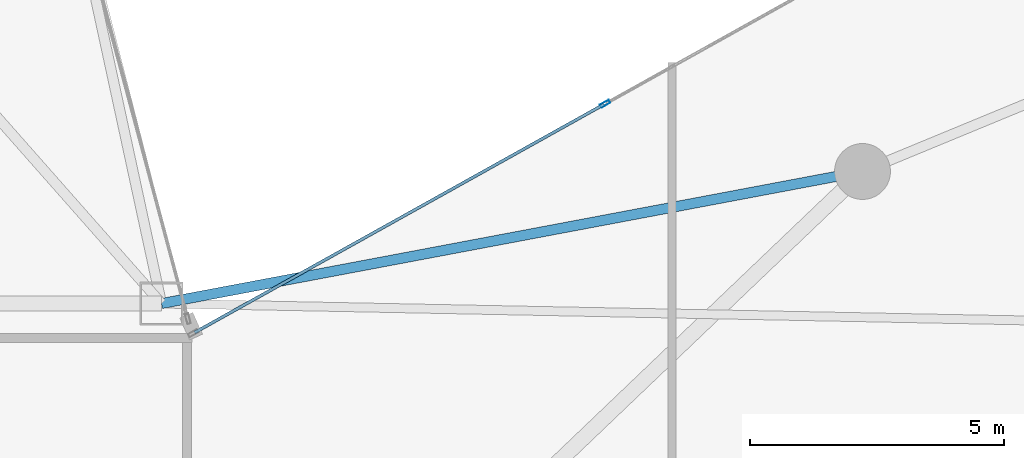
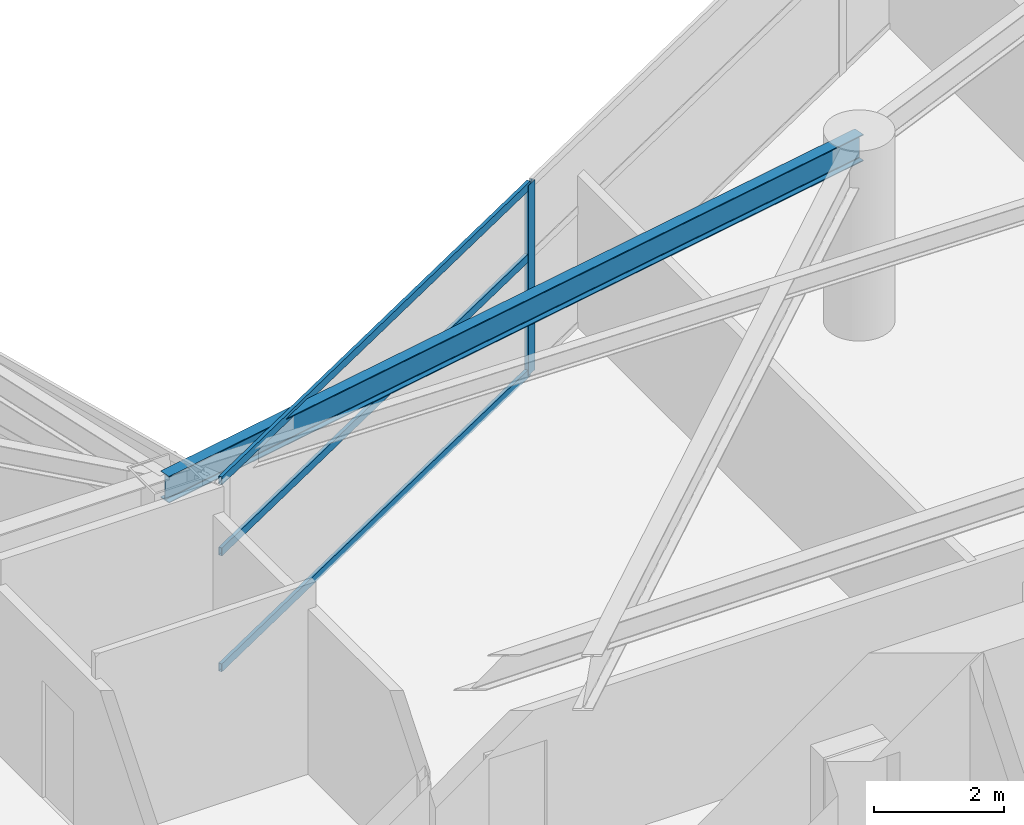
# One storey, part 11 of 28: 4 members, 1 beam, 1 element without a shape of its own.
"""IFC4 building model written with IfcOpenShell, lengths in metres."""

from ifc_helpers import new_model, si_unit, direction, frame, origin, origin_2d, place, context, subcontext, project, spatial, hollow_rectangle, i_section, extrude, material, layer, layer_set, material_profile, profile_set, type_object, element, aggregate, save


model = new_model("IFC4")

# Units and contexts
model_context = context("Model", 3, precision=1e-05, world=origin(), true_north=direction((0.0, 1.0)))
body_context = subcontext(model_context, "Body", "Model", "MODEL_VIEW")
ifc_project = project(units=[si_unit("LENGTHUNIT", "METRE"), si_unit("AREAUNIT", "SQUARE_METRE"), si_unit("VOLUMEUNIT", "CUBIC_METRE"), si_unit("PLANEANGLEUNIT", "RADIAN"), si_unit("MASSUNIT", "GRAM", prefix="KILO")], contexts=[model_context])

# Site, building, storey
site_placement = place(None, origin())
site = spatial("IfcSite", under=ifc_project, at=site_placement, CompositionType="ELEMENT")
building_placement = place(site_placement, origin())
building = spatial("IfcBuilding", under=site, at=building_placement, Name="Calvorn Quay Hotel", CompositionType="ELEMENT")
storey_placement = place(building_placement, frame((0.0, 0.0, 127.800048828125)))
storey = spatial("IfcBuildingStorey", under=building, at=storey_placement, Name="L31", CompositionType="ELEMENT", Elevation=127.800048828125)

# Beam
ifc_material_1 = material(Name="Steel Q355B", Category="steel")
ifc_material_profile_1 = material_profile(ifc_material_1, i_section(OverallWidth=0.199951171875, OverallDepth=0.5, WebThickness=0.010009765625, FlangeThickness=0.01611328125, FilletRadius=0.01611328125, at=origin_2d()), Name="HN500x200x10x16")
ifc_profile_set_1 = profile_set([ifc_material_profile_1], Name="Steel Q355B")
beam_type = type_object("IfcBeamType", Name="BM-SPANDREL-Z1", PredefinedType="SPANDREL", material=ifc_profile_set_1)
beam_placement = place(storey_placement, frame((34.800048828125, 27.60009765625, 3.2900390625), z_axis=(-0.982709432406, -0.185154452988, 0.0), x_axis=(0.185154452988, -0.982709432406, 0.0)))
element("IfcBeam", 1, at=beam_placement, inside=storey, type_object=beam_type, Name="Beam BSP-L31-E5", PredefinedType="SPANDREL", context=body_context, shape_type="SweptSolid", body=[
    extrude(i_section(OverallWidth=0.199951171875, OverallDepth=0.5, WebThickness=0.010009765625, FlangeThickness=0.01611328125, FilletRadius=0.01611328125, at=origin_2d()), origin(), (0.0, 0.0, 1.0), 14.04296875),
])

# Curtain wall, members
ifc_material_2 = material(Name="Pale Anodised Aluminium and Low-E Glass", Category="aluminium")
ifc_layer = layer(ifc_material_2, 0.219970703125)
ifc_layer_set = layer_set([ifc_layer], Name="CW-SYS-Z2")
curtain_wall_type = type_object("IfcCurtainWallType", Name="CW-SYS-Z2", PredefinedType="NOTDEFINED", material=ifc_layer_set)
curtain_wall_placement = place(storey_placement, origin())
curtain_wall = element("IfcCurtainWall", 2, at=curtain_wall_placement, inside=storey, type_object=curtain_wall_type, Name="Inner Court Curtain Wall L31-NE1", PredefinedType="NOTDEFINED")
ifc_material_3 = material(Name="Pale Anodised Aluminium 6063-T6", Category="aluminium")
ifc_material_profile_2 = material_profile(ifc_material_3, hollow_rectangle(XDim=0.070068359375, YDim=0.199951171875, WallThickness=0.00390625, at=origin_2d()), Name="ALU-M200x70x4")
ifc_profile_set_2 = profile_set([ifc_material_profile_2], Name="Pale Anodised Aluminium 6063-T6")
member_type_1 = type_object("IfcMemberType", Name="CW-SYS-Z2-MUL", PredefinedType="MULLION", material=ifc_profile_set_2)
member_1_placement = place(storey_placement, frame((29.7333984375, 28.933349609375, 0.0), z_axis=(0.0, 0.0, 1.0), x_axis=(0.486858256224, -0.873480989116, 0.0)))
member_1 = element("IfcMember", 3, at=member_1_placement, type_object=member_type_1, Name="CW-L31-NE1 mullion 3", PredefinedType="MULLION", context=body_context, shape_type="SweptSolid", body=[
    extrude(hollow_rectangle(XDim=0.070068359375, YDim=0.199951171875, WallThickness=0.00390625, at=origin_2d()), origin(), (0.0, 0.0, 1.0), 3.56005859375),
])
ifc_material_4 = material(Name="Pale Anodised Aluminium 6063-T6", Category="aluminium")
ifc_material_profile_3 = material_profile(ifc_material_4, hollow_rectangle(XDim=0.06005859375, YDim=0.14990234375, WallThickness=0.00341796875, at=origin_2d()), Name="ALU-T150x60x3.5")
ifc_profile_set_3 = profile_set([ifc_material_profile_3], Name="Pale Anodised Aluminium 6063-T6")
member_type_2 = type_object("IfcMemberType", Name="CW-SYS-Z2-TRN", PredefinedType="USERDEFINED", material=ifc_profile_set_3)
member_2_placement = place(storey_placement, frame((29.70703125, 28.918701171875, 0.030029296875), z_axis=(-0.87348080454, -0.486858587375, 0.0), x_axis=(0.486858587375, -0.87348080454, 0.0)))
member_2 = element("IfcMember", 4, at=member_2_placement, type_object=member_type_2, Name="CW-L31-NE1 transom 3.1", ObjectType="TRANSOM", PredefinedType="USERDEFINED", context=body_context, shape_type="SweptSolid", body=[
    extrude(hollow_rectangle(XDim=0.06005859375, YDim=0.14990234375, WallThickness=0.00341796875, at=origin_2d()), origin(), (0.0, 0.0, 1.0), 9.221435546875),
])
member_3_placement = place(storey_placement, frame((29.70703125, 28.918701171875, 2.199951171875), z_axis=(-0.87348080454, -0.486858587375, 0.0), x_axis=(0.486858587375, -0.87348080454, 0.0)))
member_3 = element("IfcMember", 5, at=member_3_placement, type_object=member_type_2, Name="CW-L31-NE1 transom 3.2", ObjectType="TRANSOM", PredefinedType="USERDEFINED", context=body_context, shape_type="SweptSolid", body=[
    extrude(hollow_rectangle(XDim=0.06005859375, YDim=0.14990234375, WallThickness=0.00341796875, at=origin_2d()), origin(), (0.0, 0.0, 1.0), 9.221435546875),
])
member_4_placement = place(storey_placement, frame((29.70703125, 28.918701171875, 3.530029296875), z_axis=(-0.87348080454, -0.486858587375, 0.0), x_axis=(0.486858587375, -0.87348080454, 0.0)))
member_4 = element("IfcMember", 6, at=member_4_placement, type_object=member_type_2, Name="CW-L31-NE1 transom 3.3", ObjectType="TRANSOM", PredefinedType="USERDEFINED", context=body_context, shape_type="SweptSolid", body=[
    extrude(hollow_rectangle(XDim=0.06005859375, YDim=0.14990234375, WallThickness=0.00341796875, at=origin_2d()), origin(), (0.0, 0.0, 1.0), 9.221435546875),
])
aggregate(curtain_wall, [member_1, member_2, member_3, member_4])

save(model, "model.ifc")
